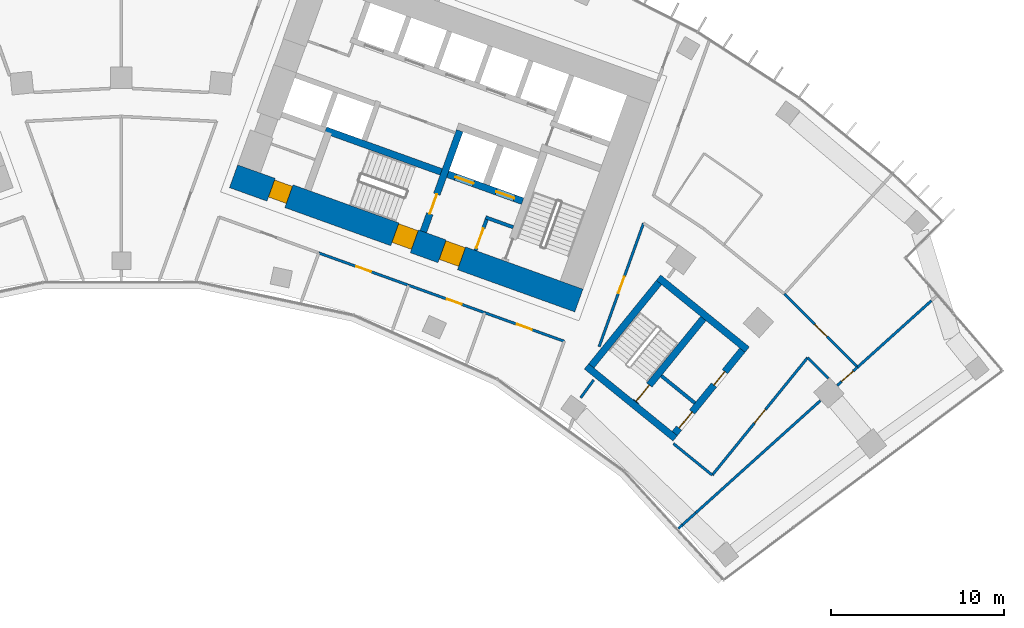
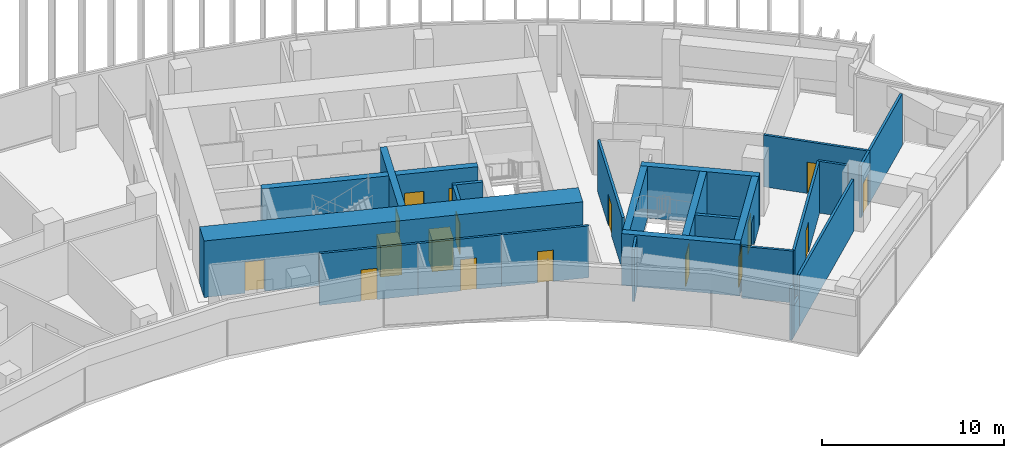
# One storey, part 18 of 22: 25 walls, 17 doors, 17 openings.
"""IFC4 building model written with IfcOpenShell, lengths in metres."""

from ifc_helpers import new_model, si_unit, direction, frame, frame_2d, origin, place, context, subcontext, project, spatial, rectangle, extrude, material, layer, layer_set, type_object, element, fill, save


model = new_model("IFC4")

# Units and contexts
model_context = context("Model", 3, precision=1e-05, world=origin(), true_north=direction((0.0, 1.0)))
body_context = subcontext(model_context, "Body", "Model", "MODEL_VIEW")
ifc_project = project(units=[si_unit("LENGTHUNIT", "METRE"), si_unit("AREAUNIT", "SQUARE_METRE"), si_unit("VOLUMEUNIT", "CUBIC_METRE"), si_unit("PLANEANGLEUNIT", "RADIAN"), si_unit("MASSUNIT", "GRAM", prefix="KILO")], contexts=[model_context])

# Site, building, storey
site_placement = place(None, origin())
site = spatial("IfcSite", under=ifc_project, at=site_placement, CompositionType="ELEMENT")
building_placement = place(site_placement, origin())
building = spatial("IfcBuilding", under=site, at=building_placement, Name="Stone Belt Terrace Tower", CompositionType="ELEMENT")
storey_placement = place(building_placement, frame((0.0, 0.0, 155.39990234375)))
storey = spatial("IfcBuildingStorey", under=building, at=storey_placement, Name="L37", CompositionType="ELEMENT", Elevation=155.39990234375)

# Wall, openings, doors
ifc_material_1 = material(Name="Concrete B80", Category="concrete")
ifc_layer_1 = layer(ifc_material_1, 1.39990234375)
ifc_layer_set_1 = layer_set([ifc_layer_1], Name="Core wall 1400 B80")
wall_type_1 = type_object("IfcWallType", Name="Core wall 1400 B80", PredefinedType="SHEAR", material=ifc_layer_set_1)
wall_1_placement = place(storey_placement, frame((6.4833984375, 49.318115234375, 0.0), z_axis=(0.0, 0.0, 1.0), x_axis=(0.940923374003, -0.33861955681, 0.0)))
wall_1 = element("IfcWall", 1, at=wall_1_placement, inside=storey, type_object=wall_type_1, Name="Core B wall concave L37", PredefinedType="SHEAR", context=body_context, shape_type="SweptSolid", body=[
    extrude(rectangle(XDim=21.199951171875, YDim=1.39990234375, at=frame_2d((10.60009765625, 0.0))), origin(), (0.0, 0.0, 1.0), 3.800048828125),
])
opening_1_placement = place(wall_1_placement, frame((12.800048828125, 0.0, 0.0)))
opening_1 = element("IfcOpeningElement", 2, at=opening_1_placement, cuts=wall_1, Name="Opening L37-C18", PredefinedType="OPENING", context=body_context, shape_type="SweptSolid", body=[
    extrude(rectangle(XDim=1.199951171875, YDim=2.10009765625, at=frame_2d((0.60009765625, 1.050048828125))), frame((0.0, 0.7099609375, 0.0), z_axis=(0.0, -1.0, 0.0), x_axis=(1.0, 0.0, 0.0)), (0.0, 0.0, 1.0), 1.419921875),
])
opening_2_placement = place(wall_1_placement, frame((9.89990234375, 0.0, 0.0)))
opening_2 = element("IfcOpeningElement", 3, at=opening_2_placement, cuts=wall_1, Name="Opening L37-C20", PredefinedType="OPENING", context=body_context, shape_type="SweptSolid", body=[
    extrude(rectangle(XDim=1.199951171875, YDim=2.10009765625, at=frame_2d((0.60009765625, 1.050048828125))), frame((0.0, 0.7099609375, 0.0), z_axis=(0.0, -1.0, 0.0), x_axis=(1.0, 0.0, 0.0)), (0.0, 0.0, 1.0), 1.419921875),
])
opening_3_placement = place(wall_1_placement, frame((2.300048828125, 0.0, 0.0)))
opening_3 = element("IfcOpeningElement", 4, at=opening_3_placement, cuts=wall_1, Name="Opening L37-C22", PredefinedType="OPENING", context=body_context, shape_type="SweptSolid", body=[
    extrude(rectangle(XDim=1.10009765625, YDim=2.10009765625, at=frame_2d((0.550048828125, 1.050048828125))), frame((0.0, 0.7099609375, 0.0), z_axis=(0.0, -1.0, 0.0), x_axis=(1.0, 0.0, 0.0)), (0.0, 0.0, 1.0), 1.419921875),
])
ifc_material_2 = material(Name="Timber door leaf", Category="wood")
door_type_1 = type_object("IfcDoorType", Name="Core room door 1100", OperationType="SINGLE_SWING_LEFT", PredefinedType="DOOR", material=ifc_material_2)
door_1_placement = place(opening_3_placement, origin())
door_1 = element("IfcDoor", 5, at=door_1_placement, inside=storey, type_object=door_type_1, Name="Door to Cleaner's store core B", OperationType="SINGLE_SWING_RIGHT", OverallHeight=2.10009765625, OverallWidth=1.10009765625, PredefinedType="DOOR", context=body_context, shape_type="SweptSolid", body=[
    extrude(rectangle(XDim=1.10009765625, YDim=2.10009765625, at=frame_2d((0.550048828125, 1.050048828125))), frame((0.0, 0.60498046875, 0.0), z_axis=(0.0, -1.0, 0.0), x_axis=(1.0, 0.0, 0.0)), (0.0, 0.0, 1.0), 1.050048828125),
])
fill(opening_3, door_1)
ifc_material_3 = material(Name="Steel door leaf", Category="steel")
door_type_2 = type_object("IfcDoorType", Name="Fire-fighting lobby door 1200", OperationType="SINGLE_SWING_LEFT", PredefinedType="DOOR", material=ifc_material_3)
door_2_placement = place(opening_1_placement, origin())
door_2 = element("IfcDoor", 6, at=door_2_placement, inside=storey, type_object=door_type_2, Name="Fire-fighting lobby door core B", OperationType="SINGLE_SWING_RIGHT", OverallHeight=2.10009765625, OverallWidth=1.199951171875, PredefinedType="DOOR", context=body_context, shape_type="SweptSolid", body=[
    extrude(rectangle(XDim=1.199951171875, YDim=2.10009765625, at=frame_2d((0.60009765625, 1.050048828125))), frame((0.0, 0.655029296875, 0.0), z_axis=(0.0, -1.0, 0.0), x_axis=(1.0, 0.0, 0.0)), (0.0, 0.0, 1.0), 1.14990234375),
])
fill(opening_1, door_2)
door_type_3 = type_object("IfcDoorType", Name="Stair door 1200", OperationType="SINGLE_SWING_LEFT", PredefinedType="DOOR", material=ifc_material_3)
door_3_placement = place(opening_2_placement, origin())
door_3 = element("IfcDoor", 7, at=door_3_placement, inside=storey, type_object=door_type_3, Name="Stair 2 exit door core B", OperationType="SINGLE_SWING_LEFT", OverallHeight=2.10009765625, OverallWidth=1.199951171875, PredefinedType="DOOR", context=body_context, shape_type="SweptSolid", body=[
    extrude(rectangle(XDim=1.199951171875, YDim=2.10009765625, at=frame_2d((0.60009765625, 1.050048828125))), frame((0.0, 0.655029296875, 0.0), z_axis=(0.0, -1.0, 0.0), x_axis=(1.0, 0.0, 0.0)), (0.0, 0.0, 1.0), 1.14990234375),
])
fill(opening_2, door_3)

# Wall, opening, door
ifc_material_4 = material(Name="Gypsum board partition")
ifc_layer_2 = layer(ifc_material_4, 0.14990234375)
ifc_layer_set_2 = layer_set([ifc_layer_2], Name="PARTITION 150 EI 60")
wall_type_2 = type_object("IfcWallType", Name="PARTITION 150 EI 60", PredefinedType="PARTITIONING", material=ifc_layer_set_2)
wall_2_placement = place(storey_placement, frame((30.1669921875, 46.612060546875, 0.0), z_axis=(0.0, 0.0, 1.0), x_axis=(-0.338694393991, -0.940896438233, 0.0)))
wall_2 = element("IfcWall", 8, at=wall_2_placement, inside=storey, type_object=wall_type_2, Name="L37/wall/i028", PredefinedType="PARTITIONING", context=body_context, shape_type="SweptSolid", body=[
    extrude(rectangle(XDim=7.585205078125, YDim=0.14990234375, at=frame_2d((3.79248046875, 0.0))), origin(), (0.0, 0.0, 1.0), 3.47998046875),
])
opening_4_placement = place(wall_2_placement, frame((3.292724609375, 0.0, 0.0)))
opening_4 = element("IfcOpeningElement", 9, at=opening_4_placement, cuts=wall_2, Name="Opening D-C1-21", PredefinedType="OPENING", context=body_context, shape_type="SweptSolid", body=[
    extrude(rectangle(XDim=1.0, YDim=2.10009765625, at=frame_2d((0.5, 1.050048828125))), frame((0.0, 0.0849609375, 0.0), z_axis=(0.0, -1.0, 0.0), x_axis=(1.0, 0.0, 0.0)), (0.0, 0.0, 1.0), 0.169921875),
])
ifc_material_5 = material(Name="Timber fire door leaf", Category="wood")
door_type_4 = type_object("IfcDoorType", Name="TENANCY ENTRANCE DOOR 1000 X 2100", OperationType="NOTDEFINED", PredefinedType="DOOR", material=ifc_material_5)
door_4_placement = place(opening_4_placement, origin())
door_4 = element("IfcDoor", 10, at=door_4_placement, inside=storey, type_object=door_type_4, Name="L37/door/i21", OperationType="SINGLE_SWING_RIGHT", OverallHeight=2.10009765625, OverallWidth=1.0, PredefinedType="DOOR", context=body_context, shape_type="SweptSolid", body=[
    extrude(rectangle(XDim=1.0, YDim=2.10009765625, at=frame_2d((0.5, 1.050048828125))), frame((0.0, 0.02490234375, 0.0), z_axis=(0.0, -1.0, 0.0), x_axis=(1.0, 0.0, 0.0)), (0.0, 0.0, 1.0), 0.050048828125),
])
fill(opening_4, door_4)

# Wall
wall_3_placement = place(storey_placement, frame((27.282958984375, 37.552001953125, 0.0), z_axis=(0.0, 0.0, 1.0), x_axis=(-0.587851817093, -0.808968628032, 0.0)))
element("IfcWall", 11, at=wall_3_placement, inside=storey, type_object=wall_type_2, Name="L37/wall/i029", PredefinedType="PARTITIONING", context=body_context, shape_type="SweptSolid", body=[
    extrude(rectangle(XDim=1.270751953125, YDim=0.14990234375, at=frame_2d((0.63525390625, 0.0))), origin(), (0.0, 0.0, 1.0), 3.47998046875),
])

# Wall, opening, door
wall_4_placement = place(storey_placement, frame((16.596923828125, 43.02197265625, 0.0), z_axis=(0.0, 0.0, 1.0), x_axis=(-0.940944898778, 0.338559739874, 0.0)))
wall_4 = element("IfcWall", 12, at=wall_4_placement, inside=storey, type_object=wall_type_2, Name="L37/wall/i033", PredefinedType="PARTITIONING", context=body_context, shape_type="SweptSolid", body=[
    extrude(rectangle(XDim=5.520751953125, YDim=0.14990234375, at=frame_2d((2.76025390625, 0.0))), origin(), (0.0, 0.0, 1.0), 3.47998046875),
])
opening_5_placement = place(wall_4_placement, frame((2.310546875, 0.0, 0.0)))
opening_5 = element("IfcOpeningElement", 13, at=opening_5_placement, cuts=wall_4, Name="Opening D-C1-08", PredefinedType="OPENING", context=body_context, shape_type="SweptSolid", body=[
    extrude(rectangle(XDim=0.89990234375, YDim=2.10009765625, at=frame_2d((0.449951171875, 1.050048828125))), frame((0.0, 0.0849609375, 0.0), z_axis=(0.0, -1.0, 0.0), x_axis=(1.0, 0.0, 0.0)), (0.0, 0.0, 1.0), 0.169921875),
])
door_type_5 = type_object("IfcDoorType", Name="OFFICE DOOR 900 X 2100", OperationType="NOTDEFINED", PredefinedType="DOOR", material=ifc_material_2)
door_5_placement = place(opening_5_placement, origin())
door_5 = element("IfcDoor", 14, at=door_5_placement, inside=storey, type_object=door_type_5, Name="L37/door/i08", OperationType="SINGLE_SWING_RIGHT", OverallHeight=2.10009765625, OverallWidth=0.89990234375, PredefinedType="DOOR", context=body_context, shape_type="SweptSolid", body=[
    extrude(rectangle(XDim=0.89990234375, YDim=2.10009765625, at=frame_2d((0.449951171875, 1.050048828125))), frame((0.0, 0.02490234375, 0.0), z_axis=(0.0, -1.0, 0.0), x_axis=(1.0, 0.0, 0.0)), (0.0, 0.0, 1.0), 0.050048828125),
])
fill(opening_5, door_5)

wall_5_placement = place(storey_placement, frame((20.9970703125, 41.43798828125, 0.0), z_axis=(0.0, 0.0, 1.0), x_axis=(-0.940919266197, 0.338630970969, 0.0)))
wall_5 = element("IfcWall", 15, at=wall_5_placement, inside=storey, type_object=wall_type_2, Name="L37/wall/i034", PredefinedType="PARTITIONING", context=body_context, shape_type="SweptSolid", body=[
    extrude(rectangle(XDim=4.689208984375, YDim=0.14990234375, at=frame_2d((2.3447265625, 0.0))), origin(), (0.0, 0.0, 1.0), 3.47998046875),
])
opening_6_placement = place(wall_5_placement, frame((1.416259765625, 0.0, 0.0)))
opening_6 = element("IfcOpeningElement", 16, at=opening_6_placement, cuts=wall_5, Name="Opening D-C1-09", PredefinedType="OPENING", context=body_context, shape_type="SweptSolid", body=[
    extrude(rectangle(XDim=0.89990234375, YDim=2.10009765625, at=frame_2d((0.449951171875, 1.050048828125))), frame((0.0, 0.0849609375, 0.0), z_axis=(0.0, -1.0, 0.0), x_axis=(1.0, 0.0, 0.0)), (0.0, 0.0, 1.0), 0.169921875),
])
door_6_placement = place(opening_6_placement, origin())
door_6 = element("IfcDoor", 17, at=door_6_placement, inside=storey, type_object=door_type_5, Name="L37/door/i09", OperationType="SINGLE_SWING_LEFT", OverallHeight=2.10009765625, OverallWidth=0.89990234375, PredefinedType="DOOR", context=body_context, shape_type="SweptSolid", body=[
    extrude(rectangle(XDim=0.89990234375, YDim=2.10009765625, at=frame_2d((0.449951171875, 1.050048828125))), frame((0.0, 0.02490234375, 0.0), z_axis=(0.0, -1.0, 0.0), x_axis=(1.0, 0.0, 0.0)), (0.0, 0.0, 1.0), 0.050048828125),
])
fill(opening_6, door_6)

wall_6_placement = place(storey_placement, frame((25.583984375, 39.787109375, 0.0), z_axis=(0.0, 0.0, 1.0), x_axis=(-0.940940252997, 0.338572651421, 0.0)))
wall_6 = element("IfcWall", 18, at=wall_6_placement, inside=storey, type_object=wall_type_2, Name="L37/wall/i035", PredefinedType="PARTITIONING", context=body_context, shape_type="SweptSolid", body=[
    extrude(rectangle(XDim=4.887451171875, YDim=0.14990234375, at=frame_2d((2.44384765625, 0.0))), origin(), (0.0, 0.0, 1.0), 3.47998046875),
])
opening_7_placement = place(wall_6_placement, frame((1.993896484375, 0.0, 0.0)))
opening_7 = element("IfcOpeningElement", 19, at=opening_7_placement, cuts=wall_6, Name="Opening D-C1-10", PredefinedType="OPENING", context=body_context, shape_type="SweptSolid", body=[
    extrude(rectangle(XDim=0.89990234375, YDim=2.10009765625, at=frame_2d((0.449951171875, 1.050048828125))), frame((0.0, 0.0849609375, 0.0), z_axis=(0.0, -1.0, 0.0), x_axis=(1.0, 0.0, 0.0)), (0.0, 0.0, 1.0), 0.169921875),
])
door_7_placement = place(opening_7_placement, origin())
door_7 = element("IfcDoor", 20, at=door_7_placement, inside=storey, type_object=door_type_5, Name="L37/door/i10", OperationType="SINGLE_SWING_RIGHT", OverallHeight=2.10009765625, OverallWidth=0.89990234375, PredefinedType="DOOR", context=body_context, shape_type="SweptSolid", body=[
    extrude(rectangle(XDim=0.89990234375, YDim=2.10009765625, at=frame_2d((0.449951171875, 1.050048828125))), frame((0.0, 0.02490234375, 0.0), z_axis=(0.0, -1.0, 0.0), x_axis=(1.0, 0.0, 0.0)), (0.0, 0.0, 1.0), 0.050048828125),
])
fill(opening_7, door_7)

wall_7_placement = place(storey_placement, frame((42.530029296875, 38.294921875, 0.0), z_axis=(0.0, 0.0, 1.0), x_axis=(-0.742885543222, -0.669418456327, 0.0)))
wall_7 = element("IfcWall", 21, at=wall_7_placement, inside=storey, type_object=wall_type_2, Name="L37/wall/i062", PredefinedType="PARTITIONING", context=body_context, shape_type="SweptSolid", body=[
    extrude(rectangle(XDim=1.5751953125, YDim=0.14990234375, at=frame_2d((0.78759765625, 0.0))), origin(), (0.0, 0.0, 1.0), 3.47998046875),
])
opening_8_placement = place(wall_7_placement, frame((0.337646484375, 0.0, 0.0)))
opening_8 = element("IfcOpeningElement", 22, at=opening_8_placement, cuts=wall_7, Name="Opening D-C1-20", PredefinedType="OPENING", context=body_context, shape_type="SweptSolid", body=[
    extrude(rectangle(XDim=0.89990234375, YDim=2.10009765625, at=frame_2d((0.449951171875, 1.050048828125))), frame((0.0, 0.0849609375, 0.0), z_axis=(0.0, -1.0, 0.0), x_axis=(1.0, 0.0, 0.0)), (0.0, 0.0, 1.0), 0.169921875),
])
door_type_6 = type_object("IfcDoorType", Name="TENANCY ENTRANCE DOOR 900 X 2100", OperationType="NOTDEFINED", PredefinedType="DOOR", material=ifc_material_5)
door_8_placement = place(opening_8_placement, origin())
door_8 = element("IfcDoor", 23, at=door_8_placement, inside=storey, type_object=door_type_6, Name="L37/door/i20", OperationType="SINGLE_SWING_RIGHT", OverallHeight=2.10009765625, OverallWidth=0.89990234375, PredefinedType="DOOR", context=body_context, shape_type="SweptSolid", body=[
    extrude(rectangle(XDim=0.89990234375, YDim=2.10009765625, at=frame_2d((0.449951171875, 1.050048828125))), frame((0.0, 0.02490234375, 0.0), z_axis=(0.0, -1.0, 0.0), x_axis=(1.0, 0.0, 0.0)), (0.0, 0.0, 1.0), 0.050048828125),
])
fill(opening_8, door_8)

# Walls
wall_8_placement = place(storey_placement, frame((32.17529296875, 28.970947265625, 0.0), z_axis=(0.0, 0.0, 1.0), x_axis=(0.743257589688, 0.66900534779, 0.0)))
element("IfcWall", 24, at=wall_8_placement, inside=storey, type_object=wall_type_2, Name="L37/wall/i063-1", PredefinedType="PARTITIONING", context=body_context, shape_type="SweptSolid", body=[
    extrude(rectangle(XDim=0.33203125, YDim=0.14990234375, at=frame_2d((0.166015625, 0.0))), origin(), (0.0, 0.0, 1.0), 3.47998046875),
])
wall_9_placement = place(storey_placement, frame((32.422119140625, 29.193115234375, 0.0), z_axis=(0.0, 0.0, 1.0), x_axis=(0.743234246349, 0.669031281073, 0.0)))
element("IfcWall", 25, at=wall_9_placement, inside=storey, type_object=wall_type_2, Name="L37/wall/i063-2", PredefinedType="PARTITIONING", context=body_context, shape_type="SweptSolid", body=[
    extrude(rectangle(XDim=1.013427734375, YDim=0.14990234375, at=frame_2d((0.5068359375, 0.0))), origin(), (0.0, 0.0, 1.0), 2.080078125),
])
wall_10_placement = place(storey_placement, frame((33.17529296875, 29.87109375, 0.0), z_axis=(0.0, 0.0, 1.0), x_axis=(0.743112713751, 0.669166268323, 0.0)))
element("IfcWall", 26, at=wall_10_placement, inside=storey, type_object=wall_type_2, Name="L37/wall/i063-3", PredefinedType="PARTITIONING", context=body_context, shape_type="SweptSolid", body=[
    extrude(rectangle(XDim=9.703369140625, YDim=0.14990234375, at=frame_2d((4.8515625, 0.0))), origin(), (0.0, 0.0, 1.0), 3.47998046875),
])
wall_11_placement = place(storey_placement, frame((42.52197265625, 38.287109375, 0.0), z_axis=(0.0, 0.0, 1.0), x_axis=(0.743076675569, 0.66920628675, 0.0)))
element("IfcWall", 27, at=wall_11_placement, inside=storey, type_object=wall_type_2, Name="L37/wall/i064-1", PredefinedType="PARTITIONING", context=body_context, shape_type="SweptSolid", body=[
    extrude(rectangle(XDim=5.750732421875, YDim=0.14990234375, at=frame_2d((2.87548828125, 0.0))), origin(), (0.0, 0.0, 1.0), 3.47998046875),
])
wall_12_placement = place(storey_placement, frame((40.83642578125, 37.650634765625, 0.0), z_axis=(0.0, 0.0, 1.0), x_axis=(-0.707178865062, 0.707034689962, 0.0)))
element("IfcWall", 28, at=wall_12_placement, inside=storey, type_object=wall_type_2, Name="L37/wall/i067", PredefinedType="PARTITIONING", context=body_context, shape_type="SweptSolid", body=[
    extrude(rectangle(XDim=1.693359375, YDim=0.14990234375, at=frame_2d((0.8466796875, 0.0))), origin(), (0.0, 0.0, 1.0), 3.47998046875),
])

# Wall, opening, door
wall_13_placement = place(storey_placement, frame((38.291015625, 42.52587890625, 0.0), z_axis=(0.0, 0.0, 1.0), x_axis=(0.707106781187, -0.707106781187, 0.0)))
wall_13 = element("IfcWall", 29, at=wall_13_placement, inside=storey, type_object=wall_type_2, Name="L37/wall/i072", PredefinedType="PARTITIONING", context=body_context, shape_type="SweptSolid", body=[
    extrude(rectangle(XDim=5.989013671875, YDim=0.14990234375, at=frame_2d((2.99462890625, 0.0))), origin(), (0.0, 0.0, 1.0), 3.47998046875),
])
opening_9_placement = place(wall_13_placement, frame((2.49462890625, 0.0, 0.0)))
opening_9 = element("IfcOpeningElement", 30, at=opening_9_placement, cuts=wall_13, Name="Opening D-C1-25", PredefinedType="OPENING", context=body_context, shape_type="SweptSolid", body=[
    extrude(rectangle(XDim=1.0, YDim=2.10009765625, at=frame_2d((0.5, 1.050048828125))), frame((0.0, 0.0849609375, 0.0), z_axis=(0.0, -1.0, 0.0), x_axis=(1.0, 0.0, 0.0)), (0.0, 0.0, 1.0), 0.169921875),
])
door_9_placement = place(opening_9_placement, origin())
door_9 = element("IfcDoor", 31, at=door_9_placement, inside=storey, type_object=door_type_4, Name="L37/door/i25", OperationType="SINGLE_SWING_RIGHT", OverallHeight=2.10009765625, OverallWidth=1.0, PredefinedType="DOOR", context=body_context, shape_type="SweptSolid", body=[
    extrude(rectangle(XDim=1.0, YDim=2.10009765625, at=frame_2d((0.5, 1.050048828125))), frame((0.0, 0.02490234375, 0.0), z_axis=(0.0, -1.0, 0.0), x_axis=(1.0, 0.0, 0.0)), (0.0, 0.0, 1.0), 0.050048828125),
])
fill(opening_9, door_9)

wall_14_placement = place(storey_placement, frame((34.133056640625, 32.055908203125, 0.0), z_axis=(0.0, 0.0, 1.0), x_axis=(0.630226712005, 0.776411161354, 0.0)))
wall_14 = element("IfcWall", 32, at=wall_14_placement, inside=storey, type_object=wall_type_2, Name="L37/wall/i073", PredefinedType="PARTITIONING", context=body_context, shape_type="SweptSolid", body=[
    extrude(rectangle(XDim=8.742919921875, YDim=0.14990234375, at=frame_2d((4.37158203125, 0.0))), origin(), (0.0, 0.0, 1.0), 3.47998046875),
])
opening_10_placement = place(wall_14_placement, frame((3.871337890625, 0.0, 0.0)))
opening_10 = element("IfcOpeningElement", 33, at=opening_10_placement, cuts=wall_14, Name="Opening D-C1-22", PredefinedType="OPENING", context=body_context, shape_type="SweptSolid", body=[
    extrude(rectangle(XDim=1.0, YDim=2.10009765625, at=frame_2d((0.5, 1.050048828125))), frame((0.0, 0.0849609375, 0.0), z_axis=(0.0, -1.0, 0.0), x_axis=(1.0, 0.0, 0.0)), (0.0, 0.0, 1.0), 0.169921875),
])
door_10_placement = place(opening_10_placement, origin())
door_10 = element("IfcDoor", 34, at=door_10_placement, inside=storey, type_object=door_type_4, Name="L37/door/i22", OperationType="SINGLE_SWING_RIGHT", OverallHeight=2.10009765625, OverallWidth=1.0, PredefinedType="DOOR", context=body_context, shape_type="SweptSolid", body=[
    extrude(rectangle(XDim=1.0, YDim=2.10009765625, at=frame_2d((0.5, 1.050048828125))), frame((0.0, 0.02490234375, 0.0), z_axis=(0.0, -1.0, 0.0), x_axis=(1.0, 0.0, 0.0)), (0.0, 0.0, 1.0), 0.050048828125),
])
fill(opening_10, door_10)

# Walls
wall_15_placement = place(storey_placement, frame((34.133056640625, 32.055908203125, 0.0), z_axis=(0.0, 0.0, 1.0), x_axis=(-0.776369956068, 0.630277471686, 0.0)))
element("IfcWall", 35, at=wall_15_placement, inside=storey, type_object=wall_type_2, Name="L37/wall/i074", PredefinedType="PARTITIONING", context=body_context, shape_type="SweptSolid", body=[
    extrude(rectangle(XDim=2.8876953125, YDim=0.14990234375, at=frame_2d((1.44384765625, 0.0))), origin(), (0.0, 0.0, 1.0), 3.47998046875),
])
ifc_material_6 = material(Name="Concrete masonry block", Category="masonry")
ifc_layer_3 = layer(ifc_material_6, 0.199951171875)
ifc_layer_set_3 = layer_set([ifc_layer_3], Name="Rated lobby wall 200")
wall_type_3 = type_object("IfcWallType", Name="Rated lobby wall 200", PredefinedType="PARTITIONING", material=ifc_layer_set_3)
wall_16_placement = place(storey_placement, frame((22.640625, 46.373046875, 0.0), z_axis=(0.0, 0.0, 1.0), x_axis=(-0.940966110313, 0.338500781747, 0.0)))
element("IfcWall", 36, at=wall_16_placement, inside=storey, type_object=wall_type_3, Name="Core B wall", PredefinedType="PARTITIONING", context=body_context, shape_type="SweptSolid", body=[
    extrude(rectangle(XDim=1.699951171875, YDim=0.199951171875, at=frame_2d((0.85009765625, 0.0))), origin(), (0.0, 0.0, 1.0), 3.47998046875),
])

# Wall, opening, door
wall_17_placement = place(storey_placement, frame((20.4580078125, 45.032958984375, 0.0), z_axis=(0.0, 0.0, 1.0), x_axis=(0.338573865316, 0.940939816208, 0.0)))
wall_17 = element("IfcWall", 37, at=wall_17_placement, inside=storey, type_object=wall_type_3, Name="Core B wall", PredefinedType="PARTITIONING", context=body_context, shape_type="SweptSolid", body=[
    extrude(rectangle(XDim=1.900146484375, YDim=0.199951171875, at=frame_2d((0.9501953125, 0.0))), origin(), (0.0, 0.0, 1.0), 3.47998046875),
])
opening_11_placement = place(wall_17_placement, frame((0.14990234375, 0.0, 0.0)))
opening_11 = element("IfcOpeningElement", 38, at=opening_11_placement, cuts=wall_17, Name="Opening L37-C17", PredefinedType="OPENING", context=body_context, shape_type="SweptSolid", body=[
    extrude(rectangle(XDim=1.199951171875, YDim=2.10009765625, at=frame_2d((0.60009765625, 1.050048828125))), frame((0.0, 0.10986328125, 0.0), z_axis=(0.0, -1.0, 0.0), x_axis=(1.0, 0.0, 0.0)), (0.0, 0.0, 1.0), 0.219970703125),
])
door_11_placement = place(opening_11_placement, origin())
door_11 = element("IfcDoor", 39, at=door_11_placement, inside=storey, type_object=door_type_3, Name="Stair airlock door core B", OperationType="SINGLE_SWING_RIGHT", OverallHeight=2.10009765625, OverallWidth=1.199951171875, PredefinedType="DOOR", context=body_context, shape_type="SweptSolid", body=[
    extrude(rectangle(XDim=1.199951171875, YDim=2.10009765625, at=frame_2d((0.60009765625, 1.050048828125))), frame((0.0, 0.02490234375, 0.0), z_axis=(0.0, -1.0, 0.0), x_axis=(1.0, 0.0, 0.0)), (0.0, 0.0, 1.0), 0.050048828125),
])
fill(opening_11, door_11)

# Wall
wall_18_placement = place(storey_placement, frame((31.190673828125, 37.79296875, 0.0), z_axis=(0.0, 0.0, 1.0), x_axis=(0.776370830301, -0.630276394813, 0.0)))
element("IfcWall", 40, at=wall_18_placement, inside=storey, type_object=wall_type_3, Name="Exit stair ST3B wall", PredefinedType="PARTITIONING", context=body_context, shape_type="SweptSolid", body=[
    extrude(rectangle(XDim=2.5, YDim=0.199951171875, at=frame_2d((1.25, 0.0))), origin(), (0.0, 0.0, 1.0), 3.47998046875),
])

# Wall, openings, doors
ifc_layer_4 = layer(ifc_material_1, 0.39990234375)
ifc_layer_set_4 = layer_set([ifc_layer_4], Name="Stair enclosure wall 400")
wall_type_4 = type_object("IfcWallType", Name="Stair enclosure wall 400", PredefinedType="SHEAR", material=ifc_layer_set_4)
wall_19_placement = place(storey_placement, frame((23.182373046875, 47.87841796875, 0.0), z_axis=(0.0, 0.0, 1.0), x_axis=(-0.940921101762, 0.338625870628, 0.0)))
wall_19 = element("IfcWall", 41, at=wall_19_placement, inside=storey, type_object=wall_type_4, Name="Core B wall", PredefinedType="SHEAR", context=body_context, shape_type="SweptSolid", body=[
    extrude(rectangle(XDim=12.10009765625, YDim=0.39990234375, at=frame_2d((6.050048828125, 0.0))), origin(), (0.0, 0.0, 1.0), 3.47998046875),
])
opening_12_placement = place(wall_19_placement, frame((0.52001953125, 0.0, 0.0)))
opening_12 = element("IfcOpeningElement", 42, at=opening_12_placement, cuts=wall_19, Name="Opening L37-LD14", PredefinedType="OPENING", context=body_context, shape_type="SweptSolid", body=[
    extrude(rectangle(XDim=1.10009765625, YDim=2.199951171875, at=frame_2d((0.550048828125, 1.10009765625))), frame((0.0, 0.2099609375, 0.0), z_axis=(0.0, -1.0, 0.0), x_axis=(1.0, 0.0, 0.0)), (0.0, 0.0, 1.0), 0.419921875),
])
opening_13_placement = place(wall_19_placement, frame((3.02001953125, 0.0, 0.0)))
opening_13 = element("IfcOpeningElement", 43, at=opening_13_placement, cuts=wall_19, Name="Opening L37-LD15", PredefinedType="OPENING", context=body_context, shape_type="SweptSolid", body=[
    extrude(rectangle(XDim=1.10009765625, YDim=2.199951171875, at=frame_2d((0.550048828125, 1.10009765625))), frame((0.0, 0.2099609375, 0.0), z_axis=(0.0, -1.0, 0.0), x_axis=(1.0, 0.0, 0.0)), (0.0, 0.0, 1.0), 0.419921875),
])
ifc_material_7 = material(Name="Stainless steel door leaf", Category="steel")
door_type_7 = type_object("IfcDoorType", Name="Landing door 1100", OperationType="SLIDING_TO_LEFT", PredefinedType="DOOR", material=ifc_material_7)
door_12_placement = place(opening_12_placement, origin())
door_12 = element("IfcDoor", 44, at=door_12_placement, inside=storey, type_object=door_type_7, Name="Landing door FF1 core B", OperationType="SLIDING_TO_LEFT", OverallHeight=2.199951171875, OverallWidth=1.10009765625, PredefinedType="DOOR", context=body_context, shape_type="SweptSolid", body=[
    extrude(rectangle(XDim=1.10009765625, YDim=2.199951171875, at=frame_2d((0.550048828125, 1.10009765625))), frame((0.0, 0.02490234375, 0.0), z_axis=(0.0, -1.0, 0.0), x_axis=(1.0, 0.0, 0.0)), (0.0, 0.0, 1.0), 0.050048828125),
])
fill(opening_12, door_12)
door_13_placement = place(opening_13_placement, origin())
door_13 = element("IfcDoor", 45, at=door_13_placement, inside=storey, type_object=door_type_7, Name="Landing door FF2 core B", OperationType="SLIDING_TO_LEFT", OverallHeight=2.199951171875, OverallWidth=1.10009765625, PredefinedType="DOOR", context=body_context, shape_type="SweptSolid", body=[
    extrude(rectangle(XDim=1.10009765625, YDim=2.199951171875, at=frame_2d((0.550048828125, 1.10009765625))), frame((0.0, 0.02490234375, 0.0), z_axis=(0.0, -1.0, 0.0), x_axis=(1.0, 0.0, 0.0)), (0.0, 0.0, 1.0), 0.050048828125),
])
fill(opening_13, door_13)

# Wall, opening, door
wall_20_placement = place(storey_placement, frame((17.447021484375, 46.116455078125, 0.0), z_axis=(0.0, 0.0, 1.0), x_axis=(0.33860791464, 0.940927563707, 0.0)))
wall_20 = element("IfcWall", 46, at=wall_20_placement, inside=storey, type_object=wall_type_4, Name="Core B wall", PredefinedType="SHEAR", context=body_context, shape_type="SweptSolid", body=[
    extrude(rectangle(XDim=6.199951171875, YDim=0.39990234375, at=frame_2d((3.10009765625, 0.0))), origin(), (0.0, 0.0, 1.0), 3.47998046875),
])
opening_14_placement = place(wall_20_placement, frame((1.10009765625, 0.0, 0.0)))
opening_14 = element("IfcOpeningElement", 47, at=opening_14_placement, cuts=wall_20, Name="Opening L37-C19", PredefinedType="OPENING", context=body_context, shape_type="SweptSolid", body=[
    extrude(rectangle(XDim=1.199951171875, YDim=2.10009765625, at=frame_2d((0.60009765625, 1.050048828125))), frame((0.0, 0.2099609375, 0.0), z_axis=(0.0, -1.0, 0.0), x_axis=(1.0, 0.0, 0.0)), (0.0, 0.0, 1.0), 0.419921875),
])
door_14_placement = place(opening_14_placement, origin())
door_14 = element("IfcDoor", 48, at=door_14_placement, inside=storey, type_object=door_type_3, Name="Stair 2 door core B", OperationType="SINGLE_SWING_RIGHT", OverallHeight=2.10009765625, OverallWidth=1.199951171875, PredefinedType="DOOR", context=body_context, shape_type="SweptSolid", body=[
    extrude(rectangle(XDim=1.199951171875, YDim=2.10009765625, at=frame_2d((0.60009765625, 1.050048828125))), frame((0.0, 0.02490234375, 0.0), z_axis=(0.0, -1.0, 0.0), x_axis=(1.0, 0.0, 0.0)), (0.0, 0.0, 1.0), 0.050048828125),
])
fill(opening_14, door_14)

# Walls
wall_21_placement = place(storey_placement, frame((26.868408203125, 38.3388671875, 0.0), z_axis=(0.0, 0.0, 1.0), x_axis=(0.776428452498, -0.630205409491, 0.0)))
element("IfcWall", 49, at=wall_21_placement, inside=storey, type_object=wall_type_4, Name="Exit stair ST3B wall", PredefinedType="SHEAR", context=body_context, shape_type="SweptSolid", body=[
    extrude(rectangle(XDim=6.60009765625, YDim=0.39990234375, at=frame_2d((3.300048828125, 0.0))), origin(), (0.0, 0.0, 1.0), 3.47998046875),
])
wall_22_placement = place(storey_placement, frame((31.02783203125, 43.46337890625, 0.0), z_axis=(0.0, 0.0, 1.0), x_axis=(0.776413760801, -0.630223509589, 0.0)))
element("IfcWall", 50, at=wall_22_placement, inside=storey, type_object=wall_type_4, Name="Exit stair ST3B wall", PredefinedType="SHEAR", context=body_context, shape_type="SweptSolid", body=[
    extrude(rectangle(XDim=6.599853515625, YDim=0.39990234375, at=frame_2d((3.2998046875, 0.0))), origin(), (0.0, 0.0, 1.0), 3.47998046875),
])
wall_23_placement = place(storey_placement, frame((27.149658203125, 38.3681640625, 0.0), z_axis=(0.0, 0.0, 1.0), x_axis=(0.630211551729, 0.776423466973, 0.0)))
element("IfcWall", 51, at=wall_23_placement, inside=storey, type_object=wall_type_4, Name="Exit stair ST3B wall", PredefinedType="SHEAR", context=body_context, shape_type="SweptSolid", body=[
    extrude(rectangle(XDim=6.199951171875, YDim=0.39990234375, at=frame_2d((3.10009765625, 0.0))), origin(), (0.0, 0.0, 1.0), 3.47998046875),
])

# Wall, openings, doors
wall_24_placement = place(storey_placement, frame((31.963623046875, 34.460693359375, 0.0), z_axis=(0.0, 0.0, 1.0), x_axis=(0.630192283849, 0.776439106033, 0.0)))
wall_24 = element("IfcWall", 52, at=wall_24_placement, inside=storey, type_object=wall_type_4, Name="Exit stair ST3B wall", PredefinedType="SHEAR", context=body_context, shape_type="SweptSolid", body=[
    extrude(rectangle(XDim=6.199951171875, YDim=0.39990234375, at=frame_2d((3.10009765625, 0.0))), origin(), (0.0, 0.0, 1.0), 3.47998046875),
])
opening_15_placement = place(wall_24_placement, frame((0.39990234375, 0.0, 0.0)))
opening_15 = element("IfcOpeningElement", 53, at=opening_15_placement, cuts=wall_24, Name="Opening L37-C27", PredefinedType="OPENING", context=body_context, shape_type="SweptSolid", body=[
    extrude(rectangle(XDim=1.199951171875, YDim=2.10009765625, at=frame_2d((0.60009765625, 1.050048828125))), frame((0.0, 0.2099609375, 0.0), z_axis=(0.0, -1.0, 0.0), x_axis=(1.0, 0.0, 0.0)), (0.0, 0.0, 1.0), 0.419921875),
])
opening_16_placement = place(wall_24_placement, frame((3.60009765625, 0.0, 0.0)))
opening_16 = element("IfcOpeningElement", 54, at=opening_16_placement, cuts=wall_24, Name="Opening L37-C28", PredefinedType="OPENING", context=body_context, shape_type="SweptSolid", body=[
    extrude(rectangle(XDim=1.0, YDim=2.10009765625, at=frame_2d((0.5, 1.050048828125))), frame((0.0, 0.2099609375, 0.0), z_axis=(0.0, -1.0, 0.0), x_axis=(1.0, 0.0, 0.0)), (0.0, 0.0, 1.0), 0.419921875),
])
door_type_8 = type_object("IfcDoorType", Name="Core room door 1000", OperationType="SINGLE_SWING_LEFT", PredefinedType="DOOR", material=ifc_material_2)
door_15_placement = place(opening_16_placement, origin())
door_15 = element("IfcDoor", 55, at=door_15_placement, inside=storey, type_object=door_type_8, Name="Door to stair pressurisation plant room ST3B", OperationType="SINGLE_SWING_LEFT", OverallHeight=2.10009765625, OverallWidth=1.0, PredefinedType="DOOR", context=body_context, shape_type="SweptSolid", body=[
    extrude(rectangle(XDim=1.0, YDim=2.10009765625, at=frame_2d((0.5, 1.050048828125))), frame((0.0, 0.02490234375, 0.0), z_axis=(0.0, -1.0, 0.0), x_axis=(1.0, 0.0, 0.0)), (0.0, 0.0, 1.0), 0.050048828125),
])
fill(opening_16, door_15)
door_type_9 = type_object("IfcDoorType", Name="Stair airlock door 1200", OperationType="SINGLE_SWING_LEFT", PredefinedType="DOOR", material=ifc_material_3)
door_16_placement = place(opening_15_placement, origin())
door_16 = element("IfcDoor", 56, at=door_16_placement, inside=storey, type_object=door_type_9, Name="Stair airlock door ST3B", OperationType="SINGLE_SWING_LEFT", OverallHeight=2.10009765625, OverallWidth=1.199951171875, PredefinedType="DOOR", context=body_context, shape_type="SweptSolid", body=[
    extrude(rectangle(XDim=1.199951171875, YDim=2.10009765625, at=frame_2d((0.60009765625, 1.050048828125))), frame((0.0, 0.02490234375, 0.0), z_axis=(0.0, -1.0, 0.0), x_axis=(1.0, 0.0, 0.0)), (0.0, 0.0, 1.0), 0.050048828125),
])
fill(opening_15, door_16)

# Wall, opening, door
wall_25_placement = place(storey_placement, frame((29.7119140625, 36.288330078125, 0.0), z_axis=(0.0, 0.0, 1.0), x_axis=(0.630192283849, 0.776439106033, 0.0)))
wall_25 = element("IfcWall", 57, at=wall_25_placement, inside=storey, type_object=wall_type_4, Name="Exit stair ST3B wall", PredefinedType="SHEAR", context=body_context, shape_type="SweptSolid", body=[
    extrude(rectangle(XDim=6.199951171875, YDim=0.39990234375, at=frame_2d((3.10009765625, 0.0))), origin(), (0.0, 0.0, 1.0), 3.47998046875),
])
opening_17_placement = place(wall_25_placement, frame((0.050048828125, 0.0, 0.0)))
opening_17 = element("IfcOpeningElement", 58, at=opening_17_placement, cuts=wall_25, Name="Opening L37-C26", PredefinedType="OPENING", context=body_context, shape_type="SweptSolid", body=[
    extrude(rectangle(XDim=1.199951171875, YDim=2.10009765625, at=frame_2d((0.60009765625, 1.050048828125))), frame((0.0, 0.2099609375, 0.0), z_axis=(0.0, -1.0, 0.0), x_axis=(1.0, 0.0, 0.0)), (0.0, 0.0, 1.0), 0.419921875),
])
door_17_placement = place(opening_17_placement, origin())
door_17 = element("IfcDoor", 59, at=door_17_placement, inside=storey, type_object=door_type_3, Name="Stair door ST3B", OperationType="SINGLE_SWING_RIGHT", OverallHeight=2.10009765625, OverallWidth=1.199951171875, PredefinedType="DOOR", context=body_context, shape_type="SweptSolid", body=[
    extrude(rectangle(XDim=1.199951171875, YDim=2.10009765625, at=frame_2d((0.60009765625, 1.050048828125))), frame((0.0, 0.02490234375, 0.0), z_axis=(0.0, -1.0, 0.0), x_axis=(1.0, 0.0, 0.0)), (0.0, 0.0, 1.0), 0.050048828125),
])
fill(opening_17, door_17)

save(model, "model.ifc")
